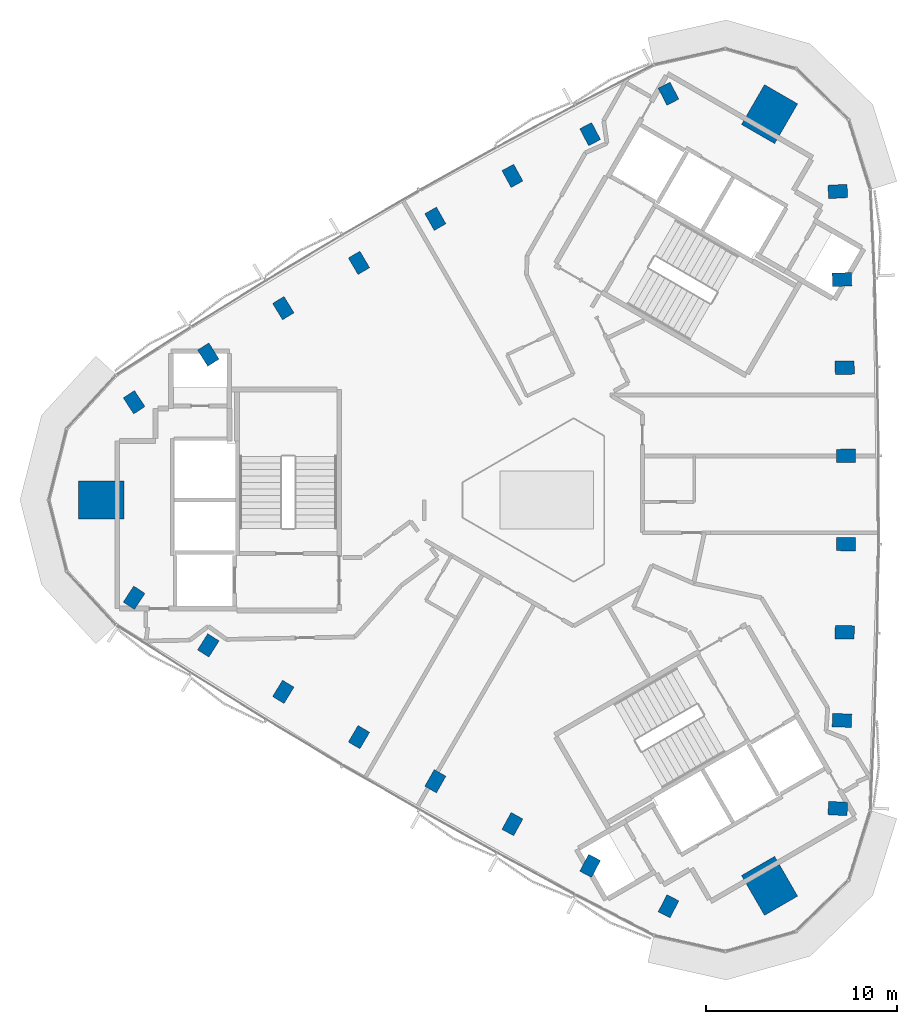
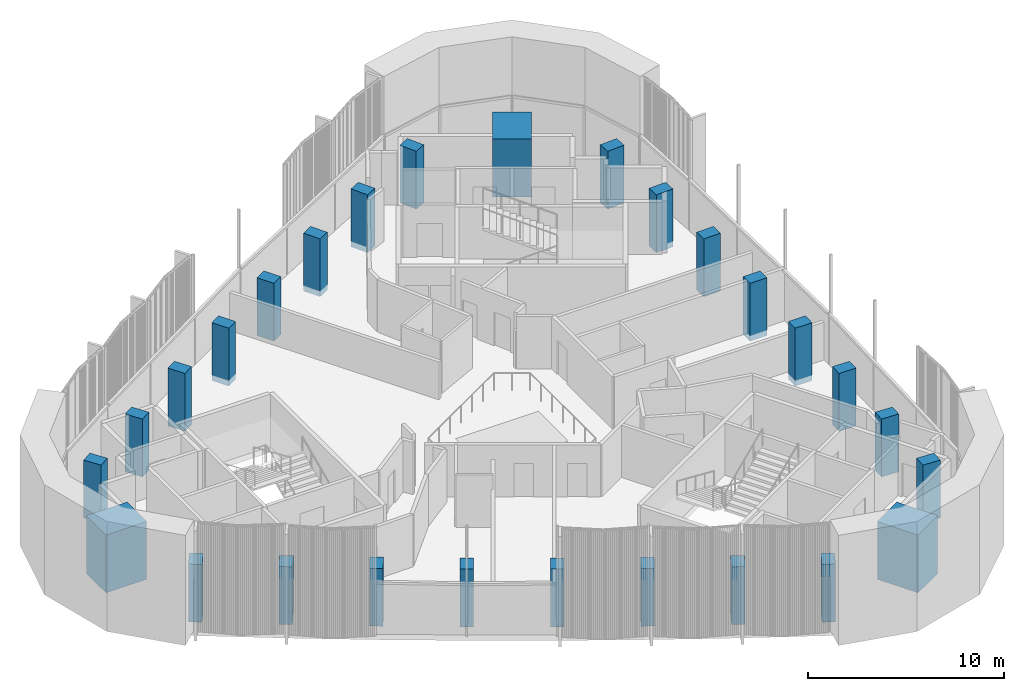
# One storey, part 1 of 12: 27 columns.
"""IFC4 building model written with IfcOpenShell, lengths in metres."""

from ifc_helpers import new_model, si_unit, direction, frame, origin, origin_2d, place, context, subcontext, project, spatial, rectangle, extrude, material, material_profile, profile_set, type_object, element, save


model = new_model("IFC4")

# Units and contexts
model_context = context("Model", 3, precision=1e-05, world=origin(), true_north=direction((0.0, 1.0)))
body_context = subcontext(model_context, "Body", "Model", "MODEL_VIEW")
ifc_project = project(units=[si_unit("LENGTHUNIT", "METRE"), si_unit("AREAUNIT", "SQUARE_METRE"), si_unit("VOLUMEUNIT", "CUBIC_METRE"), si_unit("PLANEANGLEUNIT", "RADIAN"), si_unit("MASSUNIT", "GRAM", prefix="KILO")], contexts=[model_context])

# Site, building, storey
site_placement = place(None, origin())
site = spatial("IfcSite", under=ifc_project, at=site_placement, CompositionType="ELEMENT")
building_placement = place(site_placement, origin())
building = spatial("IfcBuilding", under=site, at=building_placement, Name="Tamra Quay Hotel Tower", CompositionType="ELEMENT")
storey_placement = place(building_placement, frame((0.0, 0.0, 262.199951171875)))
storey = spatial("IfcBuildingStorey", under=building, at=storey_placement, Name="L66", CompositionType="ELEMENT", Elevation=262.199951171875)

# Columns
ifc_material = material(Name="Concrete M70", Category="concrete")
ifc_material_profile_1 = material_profile(ifc_material, rectangle(XDim=1.0, YDim=0.699951171875, at=origin_2d()), Name="COLUMN RC 700x1000 Z6")
ifc_profile_set_1 = profile_set([ifc_material_profile_1], Name="Concrete M70")
column_type_1 = type_object("IfcColumnType", Name="COLUMN RC 700x1000 Z6", PredefinedType="COLUMN", material=ifc_profile_set_1)
for number, where, z_axis, x_axis, name in (
    (1, (15.202392578125, -16.116943359375, -0.349853515625), (0.0, 0.0, 1.0), (-0.998490919119, 0.05491706873, 0.0), "COL-C6E01-L66"),
    (2, (15.418212890625, -11.51513671875, -0.349853515625), (0.0, 0.0, 1.0), (-0.999251212442, 0.03869127076, 0.0), "COL-C6E02-L66"),
    (3, (15.56201171875, -6.909912109375, -0.349853515625), (0.0, 0.0, 1.0), (-0.999717847188, 0.023753442163, 0.0), "COL-C6E03-L66"),
    (4, (15.634033203125, -2.303466796875, -0.349853515625), (0.0, 0.0, 1.0), (-0.999968634555, 0.007920221337, 0.0), "COL-C6E04-L66"),
    (5, (15.634033203125, 2.303466796875, -0.349853515625), (0.0, 0.0, 1.0), (0.999968634555, 0.007920221337, 0.0), "COL-C6E05-L66"),
    (6, (15.56201171875, 6.909912109375, -0.349853515625), (0.0, 0.0, 1.0), (0.999717847188, 0.023753442163, 0.0), "COL-C6E06-L66"),
    (7, (15.418212890625, 11.51513671875, -0.349853515625), (0.0, 0.0, 1.0), (0.999251212442, 0.03869127076, 0.0), "COL-C6E07-L66"),
    (8, (15.202392578125, 16.116943359375, -0.349853515625), (0.0, 0.0, 1.0), (0.998490919119, 0.05491706873, 0.0), "COL-C6E08-L66"),
    (9, (6.3564453125, 21.22412109375, -0.349853515625), (0.0, 0.0, 1.0), (-0.451685882938, 0.89217703577, 0.0), "COL-C6NW01-L66"),
    (10, (2.26318359375, 19.110107421875, -0.349853515625), (0.0, 0.0, 1.0), (-0.466117982839, 0.884722570117, 0.0), "COL-C6NW02-L66"),
    (11, (-1.796875, 16.93212890625, -0.349853515625), (0.0, 0.0, 1.0), (-0.479287839253, 0.877657773363, 0.0), "COL-C6NW03-L66"),
    (12, (-5.822265625, 14.69140625, -0.349853515625), (0.0, 0.0, 1.0), (-0.493125204396, 0.869958351181, 0.0), "COL-C6NW04-L66"),
    (13, (-9.81201171875, 12.3876953125, -0.349853515625), (0.0, 0.0, 1.0), (-0.506843430159, 0.862038129844, 0.0), "COL-C6NW05-L66"),
    (14, (-13.765380859375, 10.022216796875, -0.349853515625), (0.0, 0.0, 1.0), (-0.520430007934, 0.8539043312, 0.0), "COL-C6NW06-L66"),
    (15, (-17.681396484375, 7.594970703125, -0.349853515625), (0.0, 0.0, 1.0), (-0.533133229604, 0.846031299357, 0.0), "COL-C6NW07-L66"),
    (16, (-21.558837890625, 5.107421875, -0.349853515625), (0.0, 0.0, 1.0), (-0.546805036181, 0.83725996704, 0.0), "COL-C6NW08-L66"),
    (17, (-21.558837890625, -5.107421875, -0.349853515625), (0.0, 0.0, 1.0), (0.546805036181, 0.83725996704, 0.0), "COL-C6SW01-L66"),
    (18, (-17.681396484375, -7.594970703125, -0.349853515625), (0.0, 0.0, 1.0), (0.533133229604, 0.846031299357, 0.0), "COL-C6SW02-L66"),
    (19, (-13.765380859375, -10.022216796875, -0.349853515625), (0.0, 0.0, 1.0), (0.520430007934, 0.8539043312, 0.0), "COL-C6SW03-L66"),
    (20, (-9.81201171875, -12.3876953125, -0.349853515625), (0.0, 0.0, 1.0), (0.506843430159, 0.862038129844, 0.0), "COL-C6SW04-L66"),
    (21, (-5.822265625, -14.69140625, -0.349853515625), (0.0, 0.0, 1.0), (0.493125204396, 0.869958351181, 0.0), "COL-C6SW05-L66"),
    (22, (-1.796875, -16.93212890625, -0.349853515625), (0.0, 0.0, 1.0), (0.479287839253, 0.877657773363, 0.0), "COL-C6SW06-L66"),
    (23, (2.26318359375, -19.110107421875, -0.349853515625), (0.0, 0.0, 1.0), (0.466117982839, 0.884722570117, 0.0), "COL-C6SW07-L66"),
    (24, (6.3564453125, -21.22412109375, -0.349853515625), (0.0, 0.0, 1.0), (0.451685882938, 0.89217703577, 0.0), "COL-C6SW08-L66"),
):
    element("IfcColumn", number, at=place(storey_placement, frame(where, z_axis=z_axis, x_axis=x_axis)), inside=storey, type_object=column_type_1, Name=name, PredefinedType="COLUMN", context=body_context, shape_type="SweptSolid", body=[
        extrude(rectangle(XDim=1.0, YDim=0.699951171875, at=origin_2d()), origin(), (0.0, 0.0, 1.0), 3.599853515625),
    ])
ifc_material_profile_2 = material_profile(ifc_material, rectangle(XDim=2.39990234375, YDim=2.0, at=origin_2d()), Name="MEGA COLUMN RC 2000x2400 Z6")
ifc_profile_set_2 = profile_set([ifc_material_profile_2], Name="Concrete M70")
column_type_2 = type_object("IfcColumnType", Name="MEGA COLUMN RC 2000x2400 Z6", PredefinedType="COLUMN", material=ifc_profile_set_2)
for number, where, z_axis, x_axis, name in (
    (25, (11.63671875, 20.1552734375, -0.349853515625), (0.0, 0.0, 1.0), (0.5, 0.866025403784, 0.0), "COL-M6NE-L66"),
    (26, (-23.2734375, 0.0, -0.349853515625), (0.0, 0.0, 1.0), (1.0, 0.0, 0.0), "COL-M6W-L66"),
    (27, (11.63671875, -20.1552734375, -0.349853515625), (0.0, 0.0, 1.0), (-0.5, 0.866025403784, 0.0), "COL-M6SE-L66"),
):
    element("IfcColumn", number, at=place(storey_placement, frame(where, z_axis=z_axis, x_axis=x_axis)), inside=storey, type_object=column_type_2, Name=name, PredefinedType="COLUMN", context=body_context, shape_type="SweptSolid", body=[
        extrude(rectangle(XDim=2.39990234375, YDim=2.0, at=origin_2d()), origin(), (0.0, 0.0, 1.0), 3.599853515625),
    ])

save(model, "model.ifc")
